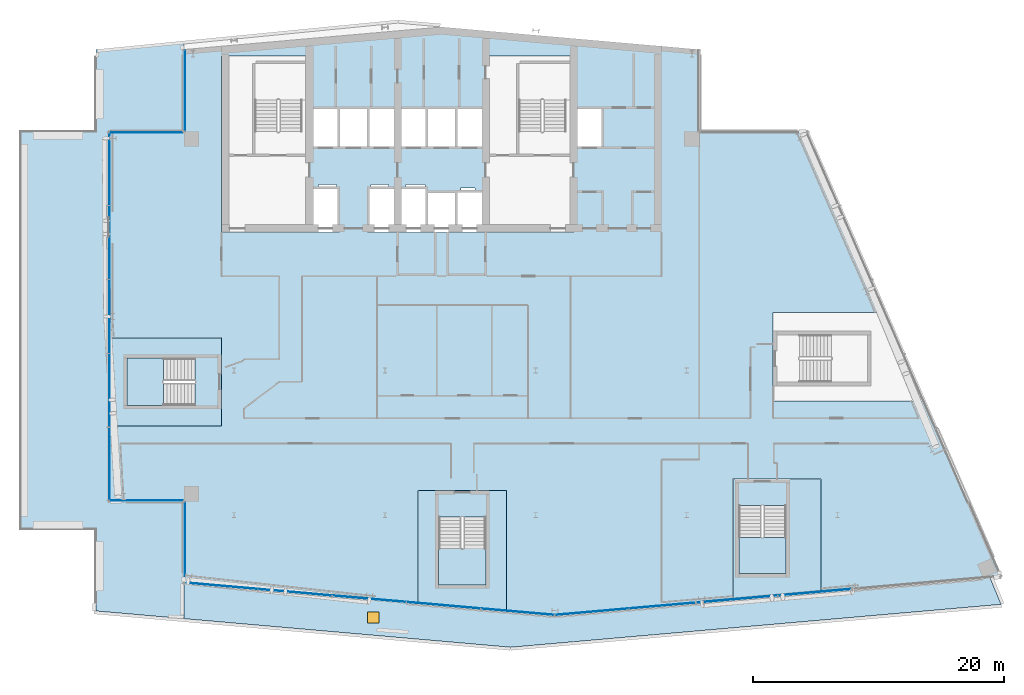
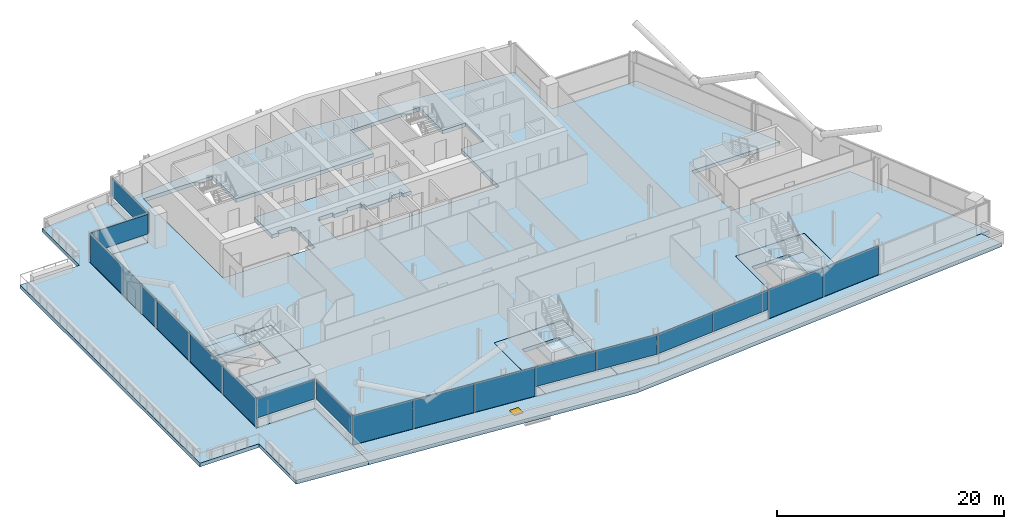
# One storey, part 10 of 27: 18 plates, 9 slabs, 1 door, 1 opening, 10 elements without a shape of their own.
"""IFC4 building model written with IfcOpenShell, lengths in metres."""

from ifc_helpers import new_model, si_unit, direction, frame, origin, origin_2d, place, context, subcontext, project, spatial, polyline, rectangle, outline, extrude, material, layer, layer_set, type_object, element, fill, aggregate, save


model = new_model("IFC4")

# Units and contexts
model_context = context("Model", 3, precision=1e-05, world=origin(), true_north=direction((0.0, 1.0)))
body_context = subcontext(model_context, "Body", "Model", "MODEL_VIEW")
ifc_project = project(units=[si_unit("LENGTHUNIT", "METRE"), si_unit("AREAUNIT", "SQUARE_METRE"), si_unit("VOLUMEUNIT", "CUBIC_METRE"), si_unit("PLANEANGLEUNIT", "RADIAN"), si_unit("MASSUNIT", "GRAM", prefix="KILO")], contexts=[model_context])

# Site, building, storey
site_placement = place(None, origin())
site = spatial("IfcSite", under=ifc_project, at=site_placement, CompositionType="ELEMENT")
building_placement = place(site_placement, origin())
building = spatial("IfcBuilding", under=site, at=building_placement, Name="Wharfspan Tower", CompositionType="ELEMENT")
storey_placement = place(building_placement, frame((0.0, 0.0, 207.100098)))
storey = spatial("IfcBuildingStorey", under=building, at=storey_placement, Name="L51", CompositionType="ELEMENT", Elevation=207.100098)

# Curtain wall, plates
ifc_material_1 = material(Name="Aluminium 6063-T6", Category="aluminium")
curtain_wall_type_1 = type_object("IfcCurtainWallType", Name="CURTAIN WALL FACETED FRONT", PredefinedType="NOTDEFINED", material=ifc_material_1)
curtain_wall_1_placement = place(storey_placement, origin())
curtain_wall_1 = element("IfcCurtainWall", 1, at=curtain_wall_1_placement, inside=storey, type_object=curtain_wall_type_1, Name="Curtain wall S1", PredefinedType="NOTDEFINED")
ifc_material_2 = material(Name="Glass clear low-iron double glazing", Category="glass")
ifc_layer_1 = layer(ifc_material_2, 0.040039)
ifc_layer_set_1 = layer_set([ifc_layer_1], Name="Glass clear low-iron double glazing")
plate_type_1 = type_object("IfcPlateType", Name="GLASS PANEL FACETED FRONT 40", PredefinedType="CURTAIN_PANEL", material=ifc_layer_set_1)
plate_1_placement = place(storey_placement, frame((40.655273, 4.328125, 0.999756), z_axis=(0.0, 0.0, 1.0), x_axis=(0.996197, -0.087156, 0.0)))
plate_1 = element("IfcPlate", 2, at=plate_1_placement, type_object=plate_type_1, Name="Curtain wall S1 panel 4", PredefinedType="CURTAIN_PANEL", context=body_context, shape_type="SweptSolid", body=[
    extrude(rectangle(XDim=5.862549, YDim=0.040039, at=origin_2d()), origin(), (0.0, 0.0, 1.0), 2.120117),
])
plate_2_placement = place(storey_placement, frame((46.540283, 3.813232, 0.999756), z_axis=(0.0, 0.0, 1.0), x_axis=(0.996197, -0.087156, 0.0)))
plate_2 = element("IfcPlate", 3, at=plate_2_placement, type_object=plate_type_1, Name="Curtain wall S1 panel 5", PredefinedType="CURTAIN_PANEL", context=body_context, shape_type="SweptSolid", body=[
    extrude(rectangle(XDim=5.83252, YDim=0.040039, at=origin_2d()), origin(), (0.0, 0.0, 1.0), 2.120117),
])

curtain_wall_2_placement = place(storey_placement, origin())
curtain_wall_2 = element("IfcCurtainWall", 4, at=curtain_wall_2_placement, inside=storey, type_object=curtain_wall_type_1, Name="Curtain wall S2", PredefinedType="NOTDEFINED")
plate_3_placement = place(storey_placement, frame((52.468018, 3.813965, 0.999756), z_axis=(0.0, 0.0, 1.0), x_axis=(0.996197, 0.087156, 0.0)))
plate_3 = element("IfcPlate", 5, at=plate_3_placement, type_object=plate_type_1, Name="Curtain wall S2 panel 1", PredefinedType="CURTAIN_PANEL", context=body_context, shape_type="SweptSolid", body=[
    extrude(rectangle(XDim=5.849365, YDim=0.040039, at=origin_2d()), origin(), (0.0, 0.0, 1.0), 2.120117),
])
plate_4_placement = place(storey_placement, frame((58.369873, 4.330322, 0.999756), z_axis=(0.0, 0.0, 1.0), x_axis=(0.996197, 0.087156, 0.0)))
plate_4 = element("IfcPlate", 6, at=plate_4_placement, type_object=plate_type_1, Name="Curtain wall S2 panel 2", PredefinedType="CURTAIN_PANEL", context=body_context, shape_type="SweptSolid", body=[
    extrude(rectangle(XDim=5.87915, YDim=0.040039, at=origin_2d()), origin(), (0.0, 0.0, 1.0), 2.120117),
])

# Curtain wall, plate
curtain_wall_type_2 = type_object("IfcCurtainWallType", Name="CURTAIN WALL PROW AND END", PredefinedType="NOTDEFINED", material=ifc_material_1)
curtain_wall_3_placement = place(storey_placement, origin())
curtain_wall_3 = element("IfcCurtainWall", 7, at=curtain_wall_3_placement, inside=storey, type_object=curtain_wall_type_2, Name="Curtain wall NRW-V", PredefinedType="NOTDEFINED")
ifc_layer_2 = layer(ifc_material_2, 0.040039)
ifc_layer_set_2 = layer_set([ifc_layer_2], Name="Glass clear low-iron double glazing")
plate_type_2 = type_object("IfcPlateType", Name="GLASS PANEL PROW AND END 40", PredefinedType="CURTAIN_PANEL", material=ifc_layer_set_2)
plate_5_placement = place(storey_placement, frame((20.080078, 45.262451, 0.999756), z_axis=(0.0, 0.0, 1.0), x_axis=(0.0, -1.0, 0.0)))
plate_5 = element("IfcPlate", 8, at=plate_5_placement, type_object=plate_type_2, Name="Curtain wall NRW-V panel 1", PredefinedType="CURTAIN_PANEL", context=body_context, shape_type="SweptSolid", body=[
    extrude(rectangle(XDim=6.405029, YDim=0.040039, at=origin_2d()), origin(), (0.0, 0.0, 1.0), 2.120117),
])
aggregate(curtain_wall_3, [plate_5])

curtain_wall_4_placement = place(storey_placement, origin())
curtain_wall_4 = element("IfcCurtainWall", 9, at=curtain_wall_4_placement, inside=storey, type_object=curtain_wall_type_2, Name="Curtain wall NRW-H", PredefinedType="NOTDEFINED")
plate_6_placement = place(storey_placement, frame((17.0, 41.919922, 0.999756), z_axis=(0.0, 0.0, 1.0), x_axis=(-1.0, 0.0, 0.0)))
plate_6 = element("IfcPlate", 10, at=plate_6_placement, type_object=plate_type_2, Name="Curtain wall NRW-H panel 1", PredefinedType="CURTAIN_PANEL", context=body_context, shape_type="SweptSolid", body=[
    extrude(rectangle(XDim=5.879883, YDim=0.040039, at=origin_2d()), origin(), (0.0, 0.0, 1.0), 2.120117),
])
aggregate(curtain_wall_4, [plate_6])

curtain_wall_5_placement = place(storey_placement, origin())
curtain_wall_5 = element("IfcCurtainWall", 11, at=curtain_wall_5_placement, inside=storey, type_object=curtain_wall_type_2, Name="Curtain wall NFW-H", PredefinedType="NOTDEFINED")
plate_7_placement = place(storey_placement, frame((17.0, 12.679932, 0.999756), z_axis=(0.0, 0.0, 1.0), x_axis=(1.0, 0.0, 0.0)))
plate_7 = element("IfcPlate", 12, at=plate_7_placement, type_object=plate_type_2, Name="Curtain wall NFW-H panel 1", PredefinedType="CURTAIN_PANEL", context=body_context, shape_type="SweptSolid", body=[
    extrude(rectangle(XDim=5.879883, YDim=0.040039, at=origin_2d()), origin(), (0.0, 0.0, 1.0), 2.120117),
])
aggregate(curtain_wall_5, [plate_7])

curtain_wall_6_placement = place(storey_placement, origin())
curtain_wall_6 = element("IfcCurtainWall", 13, at=curtain_wall_6_placement, inside=storey, type_object=curtain_wall_type_2, Name="Curtain wall NFW-V", PredefinedType="NOTDEFINED")
plate_8_placement = place(storey_placement, frame((20.080078, 9.337646, 0.999756), z_axis=(0.0, 0.0, 1.0), x_axis=(0.0, -1.0, 0.0)))
plate_8 = element("IfcPlate", 14, at=plate_8_placement, type_object=plate_type_2, Name="Curtain wall NFW-V panel 1", PredefinedType="CURTAIN_PANEL", context=body_context, shape_type="SweptSolid", body=[
    extrude(rectangle(XDim=6.405029, YDim=0.040039, at=origin_2d()), origin(), (0.0, 0.0, 1.0), 2.120117),
])
aggregate(curtain_wall_6, [plate_8])

# Plate
ifc_material_3 = material(Name="Aluminium composite opaque insulated panel", Category="aluminium")
ifc_layer_3 = layer(ifc_material_3, 0.040039)
ifc_layer_set_3 = layer_set([ifc_layer_3], Name="Aluminium composite opaque insulated panel")
plate_type_3 = type_object("IfcPlateType", Name="INFILL PANEL FACETED FRONT OPAQUE 40", PredefinedType="SHEET", material=ifc_layer_set_3)
plate_9_placement = place(storey_placement, frame((22.970215, 5.875488, -0.000244), z_axis=(0.0, 0.0, 1.0), x_axis=(0.996197, -0.087156, 0.0)))
plate_9 = element("IfcPlate", 15, at=plate_9_placement, type_object=plate_type_3, Name="Curtain wall S1 panel 1", PredefinedType="SHEET", context=body_context, shape_type="SweptSolid", body=[
    extrude(rectangle(XDim=5.83252, YDim=0.040039, at=origin_2d()), origin(), (0.0, 0.0, 1.0), 3.120117),
])

plate_10_placement = place(storey_placement, frame((28.855225, 5.360596, -0.000244), z_axis=(0.0, 0.0, 1.0), x_axis=(0.996197, -0.087156, 0.0)))
plate_10 = element("IfcPlate", 16, at=plate_10_placement, type_object=plate_type_3, Name="Curtain wall S1 panel 2", PredefinedType="SHEET", context=body_context, shape_type="SweptSolid", body=[
    extrude(rectangle(XDim=5.862549, YDim=0.040039, at=origin_2d()), origin(), (0.0, 0.0, 1.0), 3.120117),
])

plate_11_placement = place(storey_placement, frame((34.755127, 4.844482, -0.000244), z_axis=(0.0, 0.0, 1.0), x_axis=(0.996197, -0.087156, 0.0)))
plate_11 = element("IfcPlate", 17, at=plate_11_placement, type_object=plate_type_3, Name="Curtain wall S1 panel 3", PredefinedType="SHEET", context=body_context, shape_type="SweptSolid", body=[
    extrude(rectangle(XDim=5.862549, YDim=0.040039, at=origin_2d()), origin(), (0.0, 0.0, 1.0), 3.120117),
])

aggregate(curtain_wall_1, [plate_9, plate_10, plate_11, plate_1, plate_2])

plate_12_placement = place(storey_placement, frame((64.286377, 4.848145, -0.000244), z_axis=(0.0, 0.0, 1.0), x_axis=(0.996197, 0.087156, 0.0)))
plate_12 = element("IfcPlate", 18, at=plate_12_placement, type_object=plate_type_3, Name="Curtain wall S2 panel 3", PredefinedType="SHEET", context=body_context, shape_type="SweptSolid", body=[
    extrude(rectangle(XDim=5.87915, YDim=0.040039, at=origin_2d()), origin(), (0.0, 0.0, 1.0), 3.120117),
])

plate_13_placement = place(storey_placement, frame((70.203125, 5.365723, -0.000244), z_axis=(0.0, 0.0, 1.0), x_axis=(0.996197, 0.087156, 0.0)))
plate_13 = element("IfcPlate", 19, at=plate_13_placement, type_object=plate_type_3, Name="Curtain wall S2 panel 4", PredefinedType="SHEET", context=body_context, shape_type="SweptSolid", body=[
    extrude(rectangle(XDim=5.87915, YDim=0.040039, at=origin_2d()), origin(), (0.0, 0.0, 1.0), 3.120117),
])

aggregate(curtain_wall_2, [plate_3, plate_4, plate_12, plate_13])

# Curtain wall, plates
curtain_wall_7_placement = place(storey_placement, origin())
curtain_wall_7 = element("IfcCurtainWall", 20, at=curtain_wall_7_placement, inside=storey, type_object=curtain_wall_type_2, Name="Curtain wall W", PredefinedType="NOTDEFINED")
ifc_layer_4 = layer(ifc_material_3, 0.040039)
ifc_layer_set_4 = layer_set([ifc_layer_4], Name="Aluminium composite opaque insulated panel")
plate_type_4 = type_object("IfcPlateType", Name="INFILL PANEL PROW AND END OPAQUE 40", PredefinedType="SHEET", material=ifc_layer_set_4)
plate_14_placement = place(storey_placement, frame((14.080078, 39.044922, -0.000244), z_axis=(0.0, 0.0, 1.0), x_axis=(0.0, -1.0, 0.0)))
plate_14 = element("IfcPlate", 21, at=plate_14_placement, type_object=plate_type_4, Name="Curtain wall W panel 1", PredefinedType="SHEET", context=body_context, shape_type="SweptSolid", body=[
    extrude(rectangle(XDim=5.790039, YDim=0.040039, at=origin_2d()), origin(), (0.0, 0.0, 1.0), 3.120117),
])
plate_15_placement = place(storey_placement, frame((14.080078, 33.179932, -0.000244), z_axis=(0.0, 0.0, 1.0), x_axis=(0.0, -1.0, 0.0)))
plate_15 = element("IfcPlate", 22, at=plate_15_placement, type_object=plate_type_4, Name="Curtain wall W panel 2", PredefinedType="SHEET", context=body_context, shape_type="SweptSolid", body=[
    extrude(rectangle(XDim=5.820068, YDim=0.040039, at=origin_2d()), origin(), (0.0, 0.0, 1.0), 3.120117),
])
plate_16_placement = place(storey_placement, frame((14.080078, 27.300049, -0.000244), z_axis=(0.0, 0.0, 1.0), x_axis=(0.0, -1.0, 0.0)))
plate_16 = element("IfcPlate", 23, at=plate_16_placement, type_object=plate_type_4, Name="Curtain wall W panel 3", PredefinedType="SHEET", context=body_context, shape_type="SweptSolid", body=[
    extrude(rectangle(XDim=5.820068, YDim=0.040039, at=origin_2d()), origin(), (0.0, 0.0, 1.0), 3.120117),
])
plate_17_placement = place(storey_placement, frame((14.080078, 21.419922, -0.000244), z_axis=(0.0, 0.0, 1.0), x_axis=(0.0, -1.0, 0.0)))
plate_17 = element("IfcPlate", 24, at=plate_17_placement, type_object=plate_type_4, Name="Curtain wall W panel 4", PredefinedType="SHEET", context=body_context, shape_type="SweptSolid", body=[
    extrude(rectangle(XDim=5.820068, YDim=0.040039, at=origin_2d()), origin(), (0.0, 0.0, 1.0), 3.120117),
])
plate_18_placement = place(storey_placement, frame((14.080078, 15.554932, -0.000244), z_axis=(0.0, 0.0, 1.0), x_axis=(0.0, -1.0, 0.0)))
plate_18 = element("IfcPlate", 25, at=plate_18_placement, type_object=plate_type_4, Name="Curtain wall W panel 5", PredefinedType="SHEET", context=body_context, shape_type="SweptSolid", body=[
    extrude(rectangle(XDim=5.790039, YDim=0.040039, at=origin_2d()), origin(), (0.0, 0.0, 1.0), 3.120117),
])
aggregate(curtain_wall_7, [plate_14, plate_15, plate_16, plate_17, plate_18])

# Slabs
ifc_material_4 = material(Name="Concrete C40/50", Category="concrete")
ifc_layer_5 = layer(ifc_material_4, 0.399902)
ifc_layer_set_5 = layer_set([ifc_layer_5], Name="Concrete C40/50")
slab_type_1 = type_object("IfcSlabType", Name="Post-tensioned flat slab 400", PredefinedType="FLOOR", material=ifc_layer_set_5)
slab_1_placement = place(storey_placement, frame((0.0, 0.0, -0.400146)))
element("IfcSlab", 26, at=slab_1_placement, inside=storey, type_object=slab_type_1, Name="Floor slab L51", PredefinedType="FLOOR", context=body_context, shape_type="SweptSolid", body=[
    extrude(outline(polyline([(38.64209, 4.444092), (38.64209, 13.453125), (45.662109, 13.453125), (45.662109, 3.829834), (49.5, 3.494141), (63.658691, 4.73291), (63.658691, 14.356201), (70.678711, 14.356201), (70.678711, 5.347168), (85.0, 6.600098), (78.91748, 20.590088), (66.859619, 20.590088), (66.859619, 27.610107), (75.865234, 27.610107), (69.608643, 42.0), (61.0, 42.0), (61.0, 48.524902), (40.5, 50.318359), (20.0, 48.524902), (20.0, 42.0), (14.0, 42.0), (14.0, 25.610107), (23.01001, 25.610107), (23.01001, 18.590088), (14.0, 18.590088), (14.0, 12.600098), (20.0, 12.600098), (20.0, 6.075195), (38.64209, 4.444092)]), holes=[polyline([(32.126709, 37.560059), (32.343262, 37.560059), (32.343262, 33.98999), (22.98999, 33.98999), (22.98999, 48.01001), (30.01001, 48.01001), (30.01001, 43.909912), (43.98999, 43.909912), (43.98999, 48.01001), (51.01001, 48.01001), (51.01001, 43.909912), (53.343262, 43.909912), (53.343262, 40.689941), (51.01001, 40.689941), (51.01001, 33.98999), (34.656738, 33.98999), (34.656738, 37.560059), (34.873291, 37.560059), (34.873291, 37.810059), (36.293213, 37.810059), (36.293213, 37.560059), (37.666748, 37.560059), (37.666748, 37.810059), (39.166748, 37.810059), (39.166748, 37.560059), (39.343262, 37.560059), (39.343262, 37.209961), (41.656738, 37.209961), (41.656738, 37.26001), (42.023193, 37.26001), (42.023193, 37.51001), (43.143311, 37.51001), (43.143311, 37.26001), (43.98999, 37.26001), (43.98999, 40.689941), (30.01001, 40.689941), (30.01001, 37.560059), (30.706787, 37.560059), (30.706787, 37.810059), (32.126709, 37.810059), (32.126709, 37.560059)])]), origin(), (0.0, 0.0, 1.0), 0.400146),
])
slab_2_placement = place(storey_placement, frame((0.0, 0.0, -0.400146)))
element("IfcSlab", 27, at=slab_2_placement, inside=storey, type_object=slab_type_1, Name="Core floor slab L51 part 1", PredefinedType="FLOOR", context=body_context, shape_type="SweptSolid", body=[
    extrude(outline(polyline([(23.0, 19.925049), (23.0, 24.274902), (23.0, 25.600098), (14.0, 25.600098), (14.0, 18.600098), (23.0, 18.600098), (23.0, 19.925049)]), holes=[polyline([(20.899902, 23.977051), (20.900146, 23.977051), (20.900391, 23.977051), (20.900635, 23.976807), (20.900879, 23.976807), (20.900879, 23.976807), (20.901123, 23.976807), (20.901367, 23.976562), (20.901367, 23.976318), (20.901611, 23.976318), (20.901611, 23.976074), (20.901855, 23.97583), (20.901855, 23.97583), (20.901855, 23.975586), (20.9021, 23.975342), (20.9021, 23.975098), (20.9021, 23.975098), (20.9021, 20.225098), (20.9021, 20.224854), (20.9021, 20.224609), (20.901855, 20.224365), (20.901855, 20.224121), (20.901855, 20.224121), (20.901611, 20.223877), (20.901611, 20.223633), (20.901367, 20.223633), (20.901367, 20.223389), (20.901123, 20.223389), (20.900879, 20.223145), (20.900879, 20.223145), (20.900635, 20.223145), (20.900391, 20.2229), (20.900146, 20.2229), (20.899902, 20.2229), (15.5, 20.2229), (15.499756, 20.2229), (15.499512, 20.2229), (15.499512, 20.223145), (15.499268, 20.223145), (15.499023, 20.223145), (15.498779, 20.223389), (15.498779, 20.223389), (15.498535, 20.223633), (15.498535, 20.223633), (15.498291, 20.223877), (15.498291, 20.224121), (15.498291, 20.224121), (15.498047, 20.224365), (15.498047, 20.224609), (15.498047, 20.224854), (15.498047, 20.225098), (15.498047, 23.975098), (15.498047, 23.975098), (15.498047, 23.975342), (15.498047, 23.975586), (15.498291, 23.97583), (15.498291, 23.97583), (15.498291, 23.976074), (15.498535, 23.976318), (15.498535, 23.976318), (15.498779, 23.976562), (15.498779, 23.976807), (15.499023, 23.976807), (15.499268, 23.976807), (15.499512, 23.976807), (15.499512, 23.977051), (15.499756, 23.977051), (15.5, 23.977051), (20.899902, 23.977051)])]), origin(), (0.0, 0.0, 1.0), 0.400146),
])
slab_3_placement = place(storey_placement, frame((0.0, 0.0, -0.400146)))
element("IfcSlab", 28, at=slab_3_placement, inside=storey, type_object=slab_type_1, Name="Core floor slab L51 part 3", PredefinedType="FLOOR", context=body_context, shape_type="SweptSolid", body=[
    extrude(outline(polyline([(44.327148, 13.443115), (39.977051, 13.443115), (38.6521, 13.443115), (38.6521, 4.443115), (45.6521, 3.830811), (45.6521, 13.443115), (44.327148, 13.443115)]), holes=[polyline([(40.275146, 11.343262), (40.275146, 11.343506), (40.275146, 11.343506), (40.275146, 11.34375), (40.275391, 11.343994), (40.275391, 11.344238), (40.275391, 11.344238), (40.275635, 11.344482), (40.275635, 11.344482), (40.275879, 11.344727), (40.275879, 11.344971), (40.276123, 11.344971), (40.276367, 11.345215), (40.276611, 11.345215), (40.276611, 11.345215), (40.276855, 11.345215), (40.2771, 11.345215), (44.0271, 11.345215), (44.027344, 11.345215), (44.027588, 11.345215), (44.027588, 11.345215), (44.027832, 11.345215), (44.028076, 11.344971), (44.02832, 11.344971), (44.02832, 11.344727), (44.028564, 11.344482), (44.028809, 11.344482), (44.028809, 11.344238), (44.028809, 11.344238), (44.029053, 11.343994), (44.029053, 11.34375), (44.029053, 11.343506), (44.029053, 11.343506), (44.029053, 11.343262), (44.029053, 5.943115), (44.029053, 5.943115), (44.029053, 5.942871), (44.029053, 5.942627), (44.029053, 5.942383), (44.028809, 5.942383), (44.028809, 5.942139), (44.028809, 5.941895), (44.028564, 5.941895), (44.02832, 5.94165), (44.02832, 5.94165), (44.028076, 5.941406), (44.027832, 5.941406), (44.027588, 5.941406), (44.027588, 5.941406), (44.027344, 5.941162), (44.0271, 5.941162), (40.2771, 5.941162), (40.276855, 5.941162), (40.276611, 5.941406), (40.276611, 5.941406), (40.276367, 5.941406), (40.276123, 5.941406), (40.275879, 5.94165), (40.275879, 5.94165), (40.275635, 5.941895), (40.275635, 5.941895), (40.275391, 5.942139), (40.275391, 5.942383), (40.275391, 5.942383), (40.275146, 5.942627), (40.275146, 5.942871), (40.275146, 5.943115), (40.275146, 5.943115), (40.275146, 11.343262)])]), origin(), (0.0, 0.0, 1.0), 0.400146),
])
slab_4_placement = place(storey_placement, frame((0.0, 0.0, -0.400146)))
element("IfcSlab", 29, at=slab_4_placement, inside=storey, type_object=slab_type_1, Name="Core floor slab L51 part 4", PredefinedType="FLOOR", context=body_context, shape_type="SweptSolid", body=[
    extrude(outline(polyline([(70.668701, 14.346191), (68.193848, 14.346191), (63.84375, 14.346191), (63.668701, 14.346191), (63.668701, 4.733887), (70.179932, 5.303467), (70.668701, 5.346191), (70.668701, 14.346191)]), holes=[polyline([(64.141846, 12.246094), (64.141846, 12.246338), (64.141846, 12.246582), (64.141846, 12.246826), (64.14209, 12.246826), (64.14209, 12.24707), (64.14209, 12.247314), (64.142334, 12.247559), (64.142334, 12.247559), (64.142578, 12.247803), (64.142578, 12.247803), (64.142822, 12.247803), (64.143066, 12.248047), (64.143311, 12.248047), (64.143311, 12.248047), (64.143555, 12.248291), (64.143799, 12.248291), (67.893799, 12.248291), (67.894043, 12.248291), (67.894287, 12.248047), (67.894287, 12.248047), (67.894531, 12.248047), (67.894775, 12.247803), (67.89502, 12.247803), (67.89502, 12.247803), (67.895264, 12.247559), (67.895508, 12.247559), (67.895508, 12.247314), (67.895508, 12.24707), (67.895752, 12.246826), (67.895752, 12.246826), (67.895752, 12.246582), (67.895752, 12.246338), (67.895752, 12.246094), (67.895752, 6.846191), (67.895752, 6.845947), (67.895752, 6.845703), (67.895752, 6.845703), (67.895752, 6.845459), (67.895508, 6.845215), (67.895508, 6.845215), (67.895508, 6.844971), (67.895264, 6.844727), (67.89502, 6.844482), (67.89502, 6.844482), (67.894775, 6.844482), (67.894531, 6.844238), (67.894287, 6.844238), (67.894287, 6.844238), (67.894043, 6.844238), (67.893799, 6.844238), (64.143799, 6.844238), (64.143555, 6.844238), (64.143311, 6.844238), (64.143311, 6.844238), (64.143066, 6.844238), (64.142822, 6.844482), (64.142578, 6.844482), (64.142578, 6.844482), (64.142334, 6.844727), (64.142334, 6.844971), (64.14209, 6.845215), (64.14209, 6.845215), (64.14209, 6.845459), (64.141846, 6.845703), (64.141846, 6.845703), (64.141846, 6.845947), (64.141846, 6.846191), (64.141846, 12.246094)])]), origin(), (0.0, 0.0, 1.0), 0.400146),
])

# Stair, slab
stair_type = type_object("IfcStairType", Name="Half-turn stair 20 risers 180 mm", PredefinedType="HALF_TURN_STAIR", material=ifc_material_4)
stair_1_placement = place(storey_placement, origin())
stair_1 = element("IfcStair", 30, at=stair_1_placement, inside=storey, type_object=stair_type, Name="L51 stair ST3", PredefinedType="HALF_TURN_STAIR")
ifc_layer_6 = layer(ifc_material_4, 0.199951)
ifc_layer_set_6 = layer_set([ifc_layer_6], Name="Concrete C40/50")
slab_type_2 = type_object("IfcSlabType", Name="Stair landing 200", PredefinedType="LANDING", material=ifc_layer_set_6)
slab_5_placement = place(storey_placement, frame((0.0, 0.0, 1.599609)))
slab_5 = element("IfcSlab", 31, at=slab_5_placement, type_object=slab_type_2, Name="ST3 landing 1", PredefinedType="LANDING", context=body_context, shape_type="SweptSolid", body=[
    extrude(outline(polyline([(18.379883, 23.975098), (15.5, 23.975098), (15.5, 20.225098), (18.379883, 20.225098), (18.379883, 23.975098)])), origin(), (0.0, 0.0, 1.0), 0.200195),
])
aggregate(stair_1, [slab_5])

stair_2_placement = place(storey_placement, origin())
stair_2 = element("IfcStair", 32, at=stair_2_placement, inside=storey, type_object=stair_type, Name="L51 stair ST4", PredefinedType="HALF_TURN_STAIR")
slab_6_placement = place(storey_placement, frame((0.0, 0.0, 1.599609)))
slab_6 = element("IfcSlab", 33, at=slab_6_placement, type_object=slab_type_2, Name="ST4 landing 1", PredefinedType="LANDING", context=body_context, shape_type="SweptSolid", body=[
    extrude(outline(polyline([(40.2771, 8.823242), (40.2771, 5.943115), (44.0271, 5.943115), (44.0271, 8.823242), (40.2771, 8.823242)])), origin(), (0.0, 0.0, 1.0), 0.200195),
])
aggregate(stair_2, [slab_6])

stair_3_placement = place(storey_placement, origin())
stair_3 = element("IfcStair", 34, at=stair_3_placement, inside=storey, type_object=stair_type, Name="L51 stair ST5", PredefinedType="HALF_TURN_STAIR")
slab_7_placement = place(storey_placement, frame((0.0, 0.0, 1.599609)))
slab_7 = element("IfcSlab", 35, at=slab_7_placement, type_object=slab_type_2, Name="ST5 landing 1", PredefinedType="LANDING", context=body_context, shape_type="SweptSolid", body=[
    extrude(outline(polyline([(64.143799, 9.726074), (64.143799, 6.846191), (67.893799, 6.846191), (67.893799, 9.726074), (64.143799, 9.726074)])), origin(), (0.0, 0.0, 1.0), 0.200195),
])
aggregate(stair_3, [slab_7])

# Slab
ifc_layer_7 = layer(ifc_material_4, 0.399902)
ifc_layer_set_7 = layer_set([ifc_layer_7], Name="Concrete C40/50")
slab_type_3 = type_object("IfcSlabType", Name="Terrace slab 400", PredefinedType="FLOOR", material=ifc_layer_set_7)
slab_8_placement = place(storey_placement, frame((0.0, 0.0, -0.400146)))
element("IfcSlab", 36, at=slab_8_placement, inside=storey, type_object=slab_type_3, Name="Terrace slab T3W L51", PredefinedType="FLOOR", context=body_context, shape_type="SweptSolid", body=[
    extrude(outline(polyline([(13.0, 3.875), (20.0, 3.262695), (20.0, 6.072998), (19.998047, 6.073242), (19.998047, 12.5979), (13.998047, 12.5979), (13.998047, 42.001953), (19.998047, 42.001953), (19.998047, 48.526855), (20.0, 48.526855), (20.0, 49.137451), (13.0, 48.524902), (13.0, 42.0), (7.0, 42.0), (7.0, 10.399902), (13.0, 10.399902), (13.0, 3.875)])), origin(), (0.0, 0.0, 1.0), 0.400146),
])

# Slab, opening, door
slab_9_placement = place(storey_placement, frame((0.0, 0.0, -0.400146)))
slab_9 = element("IfcSlab", 37, at=slab_9_placement, inside=storey, type_object=slab_type_3, Name="Ledge slab G3F1 L51", PredefinedType="FLOOR", context=body_context, shape_type="SweptSolid", body=[
    extrude(outline(polyline([(46.0, 0.987793), (85.0, 4.399902), (84.124268, 6.521484), (49.5, 3.492188), (20.0, 6.072998), (20.0, 3.262695), (46.0, 0.987793)])), origin(), (0.0, 0.0, 1.0), 0.400146),
])
opening_placement = place(slab_9_placement, frame((35.06958, 3.349365, 0.0)))
opening = element("IfcOpeningElement", 38, at=opening_placement, cuts=slab_9, Name="Opening RH1", PredefinedType="OPENING", context=body_context, shape_type="SweptSolid", body=[
    extrude(rectangle(XDim=0.899902, YDim=0.899902, at=origin_2d()), frame((0.0, 0.0, -0.01001)), (0.0, 0.0, 1.0), 0.420166),
])
ifc_material_5 = material(Name="Steel S355J2", Category="steel")
door_type = type_object("IfcDoorType", Name="ROOF HATCH 900x900", OperationType="SINGLE_SWING_LEFT", PredefinedType="TRAPDOOR", material=ifc_material_5)
door_placement = place(opening_placement, frame((0.0, 0.0, 0.360107)))
door = element("IfcDoor", 39, at=door_placement, inside=storey, type_object=door_type, Name="Roof hatch", OperationType="SINGLE_SWING_LEFT", OverallHeight=0.899902, OverallWidth=0.899902, PredefinedType="TRAPDOOR", context=body_context, shape_type="SweptSolid", body=[
    extrude(rectangle(XDim=0.899902, YDim=0.899902, at=origin_2d()), origin(), (0.0, 0.0, 1.0), 0.050049),
])
fill(opening, door)

save(model, "model.ifc")
